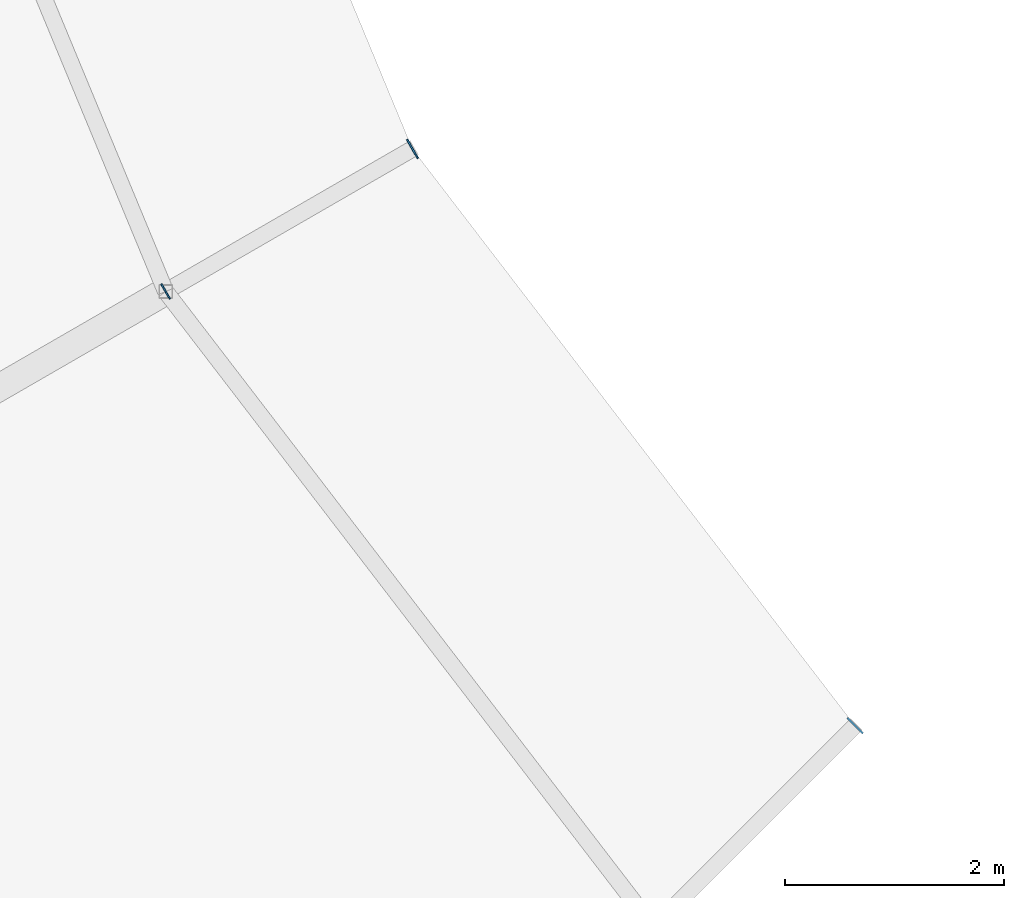
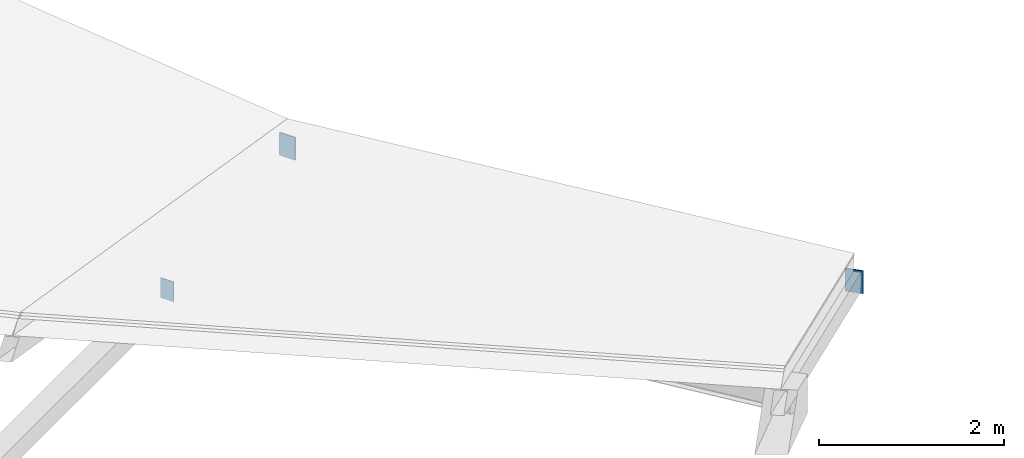
# One storey, part 41 of 70: 3 plates.
"""IFC4 building model written with IfcOpenShell, lengths in metres."""

from ifc_helpers import new_model, si_unit, direction, frame, origin, origin_2d, place, context, subcontext, project, spatial, rectangle, extrude, material, layer, layer_set, type_object, element, save


model = new_model("IFC4")

# Units and contexts
model_context = context("Model", 3, precision=1e-05, world=origin(), true_north=direction((0.0, 1.0)))
body_context = subcontext(model_context, "Body", "Model", "MODEL_VIEW")
ifc_project = project(units=[si_unit("LENGTHUNIT", "METRE"), si_unit("AREAUNIT", "SQUARE_METRE"), si_unit("VOLUMEUNIT", "CUBIC_METRE"), si_unit("PLANEANGLEUNIT", "RADIAN"), si_unit("MASSUNIT", "GRAM", prefix="KILO")], contexts=[model_context])

# Site, building, storey
site_placement = place(None, origin())
site = spatial("IfcSite", under=ifc_project, at=site_placement, CompositionType="ELEMENT")
building_placement = place(site_placement, origin())
building = spatial("IfcBuilding", under=site, at=building_placement, Name="Vondelvale Polytechnic", CompositionType="ELEMENT")
storey_placement = place(building_placement, frame((0.0, 0.0, 22.199951171875)))
storey = spatial("IfcBuildingStorey", under=building, at=storey_placement, Name="L05", CompositionType="ELEMENT", Elevation=22.199951171875)

# Plates
ifc_material = material(Name="Steel Grade 350 (fy = 340 MPa)", Category="steel")
ifc_layer_1 = layer(ifc_material, 0.01611328125)
ifc_layer_set_1 = layer_set([ifc_layer_1], Name="PLATE-CAP-300x200")
plate_type_1 = type_object("IfcPlateType", Name="PLATE-CAP-300x200", PredefinedType="USERDEFINED", material=ifc_layer_set_1)
for number, where, z_axis, x_axis, name in (
    (1, (80.0029296875, 59.300048828125, -0.18408203125), (0.0, 0.0, 1.0), (0.866025403784, 0.5, 0.0), "Ring rafter hollow end cap plate 14I"),
    (2, (84.03955078125, 54.03955078125, -0.18408203125), (0.0, 0.0, 1.0), (0.707106781187, 0.707106781187, 0.0), "Ring step rafter end cap plate 14I"),
):
    element("IfcPlate", number, at=place(storey_placement, frame(where, z_axis=z_axis, x_axis=x_axis)), inside=storey, type_object=plate_type_1, Name=name, ObjectType="CAP_PLATE", PredefinedType="USERDEFINED", context=body_context, shape_type="SweptSolid", body=[
        extrude(rectangle(XDim=0.01611328125, YDim=0.199951171875, at=origin_2d()), origin(), (0.0, 0.0, 1.0), 0.300048828125),
    ])
ifc_layer_2 = layer(ifc_material, 0.013916015625)
ifc_layer_set_2 = layer_set([ifc_layer_2], Name="PLATE-CAP-C03")
plate_type_2 = type_object("IfcPlateType", Name="PLATE-CAP-C03", PredefinedType="USERDEFINED", material=ifc_layer_set_2)
plate_placement = place(storey_placement, frame((77.751220703125, 58.0, -0.47998046875), z_axis=(0.0, 0.0, 1.0), x_axis=(0.866025403784, 0.5, 0.0)))
element("IfcPlate", 3, at=plate_placement, inside=storey, type_object=plate_type_2, Name="Ring workshop truss chord end cap 14I", ObjectType="CAP_PLATE", PredefinedType="USERDEFINED", context=body_context, shape_type="SweptSolid", body=[
    extrude(rectangle(XDim=0.013916015625, YDim=0.159912109375, at=origin_2d()), origin(), (0.0, 0.0, 1.0), 0.260009765625),
])

save(model, "model.ifc")
